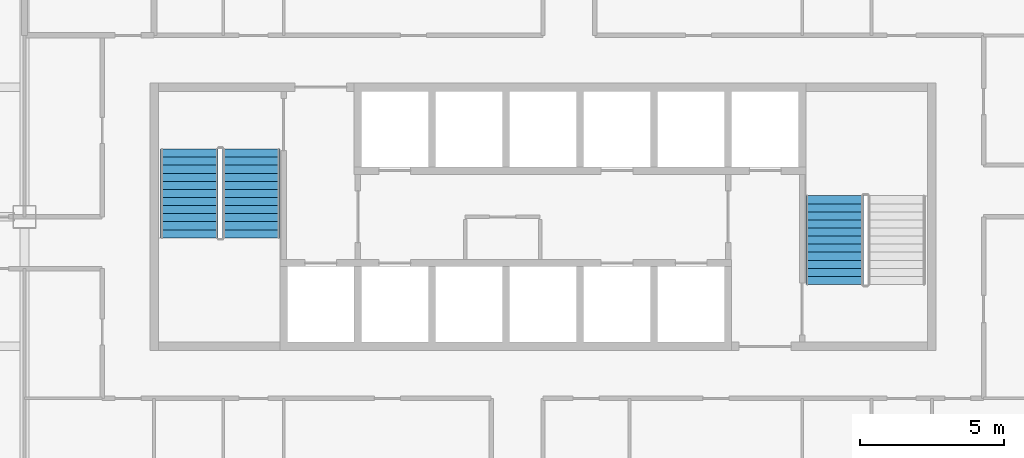
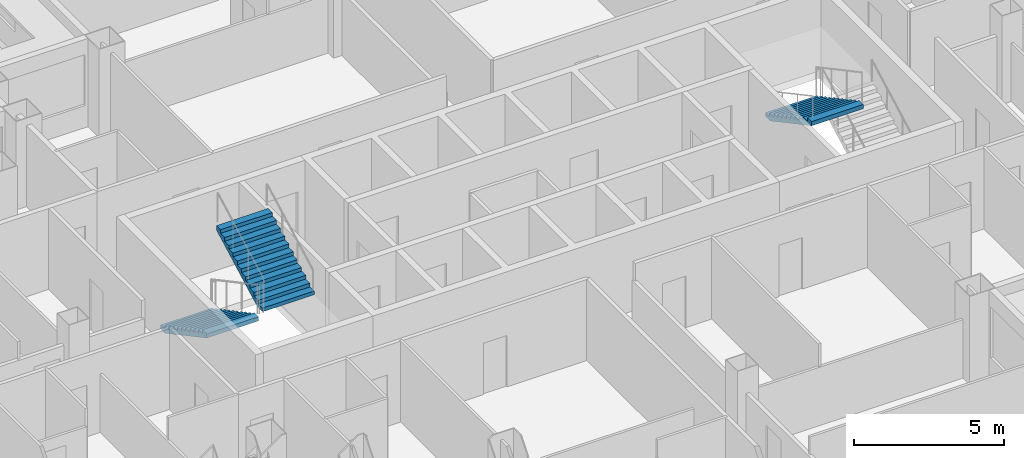
# One storey, part 10 of 14: 3 stair flights, 2 elements without a shape of their own.
"""IFC4 building model written with IfcOpenShell, lengths in metres."""

from ifc_helpers import new_model, si_unit, direction, frame, origin, place, context, subcontext, project, spatial, polygons, material, type_object, element, aggregate, save


model = new_model("IFC4")

# Units and contexts
model_context = context("Model", 3, precision=1e-05, world=origin(), true_north=direction((0.0, 1.0)))
body_context = subcontext(model_context, "Body", "Model", "MODEL_VIEW")
ifc_project = project(units=[si_unit("LENGTHUNIT", "METRE"), si_unit("AREAUNIT", "SQUARE_METRE"), si_unit("VOLUMEUNIT", "CUBIC_METRE"), si_unit("PLANEANGLEUNIT", "RADIAN"), si_unit("MASSUNIT", "GRAM", prefix="KILO")], contexts=[model_context])

# Site, building, storey
site_placement = place(None, origin())
site = spatial("IfcSite", under=ifc_project, at=site_placement, CompositionType="ELEMENT")
building_placement = place(site_placement, origin())
building = spatial("IfcBuilding", under=site, at=building_placement, Name="Caravel Reach Hotel and Residences", CompositionType="ELEMENT")
storey_placement = place(building_placement, frame((0.0, 0.0, 56.39990234375)))
storey = spatial("IfcBuildingStorey", under=building, at=storey_placement, Name="L12", CompositionType="ELEMENT", Elevation=56.39990234375)

# Stair, stair flights
ifc_material_1 = material(Name="Concrete C40", Category="concrete")
stair_type = type_object("IfcStairType", Name="Core stair", PredefinedType="HALF_TURN_STAIR", material=ifc_material_1)
stair_1_placement = place(storey_placement, origin())
stair_1 = element("IfcStair", 1, at=stair_1_placement, inside=storey, type_object=stair_type, Name="L12 Exit stair A", PredefinedType="HALF_TURN_STAIR")
ifc_material_2 = material(Name="Concrete C40", Category="concrete")
stair_flight_type = type_object("IfcStairFlightType", Name="Core stair flight", PredefinedType="STRAIGHT", material=ifc_material_2)
stair_flight_1_placement = place(storey_placement, frame((19.22509765625, 29.35009765625, 0.0), z_axis=(0.0, 0.0, 1.0), x_axis=(0.0, -1.0, 0.0)))
stair_flight_1 = element("IfcStairFlight", 2, at=stair_flight_1_placement, type_object=stair_flight_type, Name="ST-A flight 1", NumberOfRisers=12, NumberOfTreads=11, PredefinedType="STRAIGHT", RiserHeight=0.15, TreadLength=0.28, context=body_context, shape_type="Tessellation", body=[
    polygons([(0.3174408016601862, 1.0, 0.0), (0.3174408016601862, 0.6666666666666667, 0.0), (0.3174408016601862, 0.33333333333333337, 0.0), (0.3174408016601862, 0.0, 0.0), (0.3174408016601862, -0.33333333333333326, 0.0), (0.3174408016601862, -0.6666666666666667, 0.0), (0.3174408016601862, -1.0, 0.0), (3.081, 1.0, 1.479942427682043), (3.081, 0.6666666666666667, 1.479942427682043), (3.081, 0.33333333333333337, 1.479942427682043), (3.081, 0.0, 1.479942427682043), (3.081, -0.33333333333333326, 1.479942427682043), (3.081, -0.6666666666666667, 1.479942427682043), (3.081, -1.0, 1.479942427682043), (3.081, 1.0, 1.65), (3.081, 0.6666666666666667, 1.65), (3.081, 0.33333333333333337, 1.65), (3.081, 0.0, 1.65), (3.081, -0.33333333333333326, 1.65), (3.081, -0.6666666666666667, 1.65), (3.081, -1.0, 1.65), (2.8000000000000003, 1.0, 1.65), (2.8000000000000003, 0.6666666666666667, 1.65), (2.8000000000000003, 0.33333333333333337, 1.65), (2.8000000000000003, 0.0, 1.65), (2.8000000000000003, -0.33333333333333326, 1.65), (2.8000000000000003, -0.6666666666666667, 1.65), (2.8000000000000003, -1.0, 1.65), (2.8000000000000003, 1.0, 1.5), (2.8000000000000003, 0.6666666666666667, 1.5), (2.8000000000000003, 0.33333333333333337, 1.5), (2.8000000000000003, 0.0, 1.5), (2.8000000000000003, -0.33333333333333326, 1.5), (2.8000000000000003, -0.6666666666666667, 1.5), (2.8000000000000003, -1.0, 1.5), (2.5200000000000005, 1.0, 1.5), (2.5200000000000005, 0.6666666666666667, 1.5), (2.5200000000000005, 0.33333333333333337, 1.5), (2.5200000000000005, 0.0, 1.5), (2.5200000000000005, -0.33333333333333326, 1.5), (2.5200000000000005, -0.6666666666666667, 1.5), (2.5200000000000005, -1.0, 1.5), (2.5200000000000005, 1.0, 1.3499999999999999), (2.5200000000000005, 0.6666666666666667, 1.3499999999999999), (2.5200000000000005, 0.33333333333333337, 1.3499999999999999), (2.5200000000000005, 0.0, 1.3499999999999999), (2.5200000000000005, -0.33333333333333326, 1.3499999999999999), (2.5200000000000005, -0.6666666666666667, 1.3499999999999999), (2.5200000000000005, -1.0, 1.3499999999999999), (2.24, 1.0, 1.3499999999999999), (2.24, 0.6666666666666667, 1.3499999999999999), (2.24, 0.33333333333333337, 1.3499999999999999), (2.24, 0.0, 1.3499999999999999), (2.24, -0.33333333333333326, 1.3499999999999999), (2.24, -0.6666666666666667, 1.3499999999999999), (2.24, -1.0, 1.3499999999999999), (2.24, 1.0, 1.2), (2.24, 0.6666666666666667, 1.2), (2.24, 0.33333333333333337, 1.2), (2.24, 0.0, 1.2), (2.24, -0.33333333333333326, 1.2), (2.24, -0.6666666666666667, 1.2), (2.24, -1.0, 1.2), (1.9600000000000002, 1.0, 1.2), (1.9600000000000002, 0.6666666666666667, 1.2), (1.9600000000000002, 0.33333333333333337, 1.2), (1.9600000000000002, 0.0, 1.2), (1.9600000000000002, -0.33333333333333326, 1.2), (1.9600000000000002, -0.6666666666666667, 1.2), (1.9600000000000002, -1.0, 1.2), (1.9600000000000002, 1.0, 1.05), (1.9600000000000002, 0.6666666666666667, 1.05), (1.9600000000000002, 0.33333333333333337, 1.05), (1.9600000000000002, 0.0, 1.05), (1.9600000000000002, -0.33333333333333326, 1.05), (1.9600000000000002, -0.6666666666666667, 1.05), (1.9600000000000002, -1.0, 1.05), (1.6800000000000002, 1.0, 1.05), (1.6800000000000002, 0.6666666666666667, 1.05), (1.6800000000000002, 0.33333333333333337, 1.05), (1.6800000000000002, 0.0, 1.05), (1.6800000000000002, -0.33333333333333326, 1.05), (1.6800000000000002, -0.6666666666666667, 1.05), (1.6800000000000002, -1.0, 1.05), (1.6800000000000002, 1.0, 0.8999999999999999), (1.6800000000000002, 0.6666666666666667, 0.8999999999999999), (1.6800000000000002, 0.33333333333333337, 0.8999999999999999), (1.6800000000000002, 0.0, 0.8999999999999999), (1.6800000000000002, -0.33333333333333326, 0.8999999999999999), (1.6800000000000002, -0.6666666666666667, 0.8999999999999999), (1.6800000000000002, -1.0, 0.8999999999999999), (1.4000000000000001, 1.0, 0.8999999999999999), (1.4000000000000001, 0.6666666666666667, 0.8999999999999999), (1.4000000000000001, 0.33333333333333337, 0.8999999999999999), (1.4000000000000001, 0.0, 0.8999999999999999), (1.4000000000000001, -0.33333333333333326, 0.8999999999999999), (1.4000000000000001, -0.6666666666666667, 0.8999999999999999), (1.4000000000000001, -1.0, 0.8999999999999999), (1.4000000000000001, 1.0, 0.75), (1.4000000000000001, 0.6666666666666667, 0.75), (1.4000000000000001, 0.33333333333333337, 0.75), (1.4000000000000001, 0.0, 0.75), (1.4000000000000001, -0.33333333333333326, 0.75), (1.4000000000000001, -0.6666666666666667, 0.75), (1.4000000000000001, -1.0, 0.75), (1.12, 1.0, 0.75), (1.12, 0.6666666666666667, 0.75), (1.12, 0.33333333333333337, 0.75), (1.12, 0.0, 0.75), (1.12, -0.33333333333333326, 0.75), (1.12, -0.6666666666666667, 0.75), (1.12, -1.0, 0.75), (1.12, 1.0, 0.6), (1.12, 0.6666666666666667, 0.6), (1.12, 0.33333333333333337, 0.6), (1.12, 0.0, 0.6), (1.12, -0.33333333333333326, 0.6), (1.12, -0.6666666666666667, 0.6), (1.12, -1.0, 0.6), (0.8400000000000001, 1.0, 0.6), (0.8400000000000001, 0.6666666666666667, 0.6), (0.8400000000000001, 0.33333333333333337, 0.6), (0.8400000000000001, 0.0, 0.6), (0.8400000000000001, -0.33333333333333326, 0.6), (0.8400000000000001, -0.6666666666666667, 0.6), (0.8400000000000001, -1.0, 0.6), (0.8400000000000001, 1.0, 0.44999999999999996), (0.8400000000000001, 0.6666666666666667, 0.44999999999999996), (0.8400000000000001, 0.33333333333333337, 0.44999999999999996), (0.8400000000000001, 0.0, 0.44999999999999996), (0.8400000000000001, -0.33333333333333326, 0.44999999999999996), (0.8400000000000001, -0.6666666666666667, 0.44999999999999996), (0.8400000000000001, -1.0, 0.44999999999999996), (0.56, 1.0, 0.44999999999999996), (0.56, 0.6666666666666667, 0.44999999999999996), (0.56, 0.33333333333333337, 0.44999999999999996), (0.56, 0.0, 0.44999999999999996), (0.56, -0.33333333333333326, 0.44999999999999996), (0.56, -0.6666666666666667, 0.44999999999999996), (0.56, -1.0, 0.44999999999999996), (0.56, 1.0, 0.3), (0.56, 0.6666666666666667, 0.3), (0.56, 0.33333333333333337, 0.3), (0.56, 0.0, 0.3), (0.56, -0.33333333333333326, 0.3), (0.56, -0.6666666666666667, 0.3), (0.56, -1.0, 0.3), (0.28, 1.0, 0.3), (0.28, 0.6666666666666667, 0.3), (0.28, 0.33333333333333337, 0.3), (0.28, 0.0, 0.3), (0.28, -0.33333333333333326, 0.3), (0.28, -0.6666666666666667, 0.3), (0.28, -1.0, 0.3), (0.28, 1.0, 0.15), (0.28, 0.6666666666666667, 0.15), (0.28, 0.33333333333333337, 0.15), (0.28, 0.0, 0.15), (0.28, -0.33333333333333326, 0.15), (0.28, -0.6666666666666667, 0.15), (0.28, -1.0, 0.15), (-0.001, 1.0, 0.15), (-0.001, 0.6666666666666667, 0.15), (-0.001, 0.33333333333333337, 0.15), (-0.001, 0.0, 0.15), (-0.001, -0.33333333333333326, 0.15), (-0.001, -0.6666666666666667, 0.15), (-0.001, -1.0, 0.15), (-0.001, 1.0, 0.0), (-0.001, 0.6666666666666667, 0.0), (-0.001, 0.33333333333333337, 0.0), (-0.001, 0.0, 0.0), (-0.001, -0.33333333333333326, 0.0), (-0.001, -0.6666666666666667, 0.0), (-0.001, -1.0, 0.0)], [[[169, 162, 155, 148, 141, 134, 127, 120, 113, 106, 99, 92, 85, 78, 71, 64, 57, 50, 43, 36, 29, 22, 15, 8, 1]], [[7, 14, 21, 28, 35, 42, 49, 56, 63, 70, 77, 84, 91, 98, 105, 112, 119, 126, 133, 140, 147, 154, 161, 168, 175]], [[1, 8, 9, 2]], [[2, 9, 10, 3]], [[3, 10, 11, 4]], [[4, 11, 12, 5]], [[5, 12, 13, 6]], [[6, 13, 14, 7]], [[8, 15, 16, 9]], [[9, 16, 17, 10]], [[10, 17, 18, 11]], [[11, 18, 19, 12]], [[12, 19, 20, 13]], [[13, 20, 21, 14]], [[15, 22, 23, 16]], [[16, 23, 24, 17]], [[17, 24, 25, 18]], [[18, 25, 26, 19]], [[19, 26, 27, 20]], [[20, 27, 28, 21]], [[22, 29, 30, 23]], [[23, 30, 31, 24]], [[24, 31, 32, 25]], [[25, 32, 33, 26]], [[26, 33, 34, 27]], [[27, 34, 35, 28]], [[29, 36, 37, 30]], [[30, 37, 38, 31]], [[31, 38, 39, 32]], [[32, 39, 40, 33]], [[33, 40, 41, 34]], [[34, 41, 42, 35]], [[36, 43, 44, 37]], [[37, 44, 45, 38]], [[38, 45, 46, 39]], [[39, 46, 47, 40]], [[40, 47, 48, 41]], [[41, 48, 49, 42]], [[43, 50, 51, 44]], [[44, 51, 52, 45]], [[45, 52, 53, 46]], [[46, 53, 54, 47]], [[47, 54, 55, 48]], [[48, 55, 56, 49]], [[50, 57, 58, 51]], [[51, 58, 59, 52]], [[52, 59, 60, 53]], [[53, 60, 61, 54]], [[54, 61, 62, 55]], [[55, 62, 63, 56]], [[57, 64, 65, 58]], [[58, 65, 66, 59]], [[59, 66, 67, 60]], [[60, 67, 68, 61]], [[61, 68, 69, 62]], [[62, 69, 70, 63]], [[64, 71, 72, 65]], [[65, 72, 73, 66]], [[66, 73, 74, 67]], [[67, 74, 75, 68]], [[68, 75, 76, 69]], [[69, 76, 77, 70]], [[71, 78, 79, 72]], [[72, 79, 80, 73]], [[73, 80, 81, 74]], [[74, 81, 82, 75]], [[75, 82, 83, 76]], [[76, 83, 84, 77]], [[78, 85, 86, 79]], [[79, 86, 87, 80]], [[80, 87, 88, 81]], [[81, 88, 89, 82]], [[82, 89, 90, 83]], [[83, 90, 91, 84]], [[85, 92, 93, 86]], [[86, 93, 94, 87]], [[87, 94, 95, 88]], [[88, 95, 96, 89]], [[89, 96, 97, 90]], [[90, 97, 98, 91]], [[92, 99, 100, 93]], [[93, 100, 101, 94]], [[94, 101, 102, 95]], [[95, 102, 103, 96]], [[96, 103, 104, 97]], [[97, 104, 105, 98]], [[99, 106, 107, 100]], [[100, 107, 108, 101]], [[101, 108, 109, 102]], [[102, 109, 110, 103]], [[103, 110, 111, 104]], [[104, 111, 112, 105]], [[106, 113, 114, 107]], [[107, 114, 115, 108]], [[108, 115, 116, 109]], [[109, 116, 117, 110]], [[110, 117, 118, 111]], [[111, 118, 119, 112]], [[113, 120, 121, 114]], [[114, 121, 122, 115]], [[115, 122, 123, 116]], [[116, 123, 124, 117]], [[117, 124, 125, 118]], [[118, 125, 126, 119]], [[120, 127, 128, 121]], [[121, 128, 129, 122]], [[122, 129, 130, 123]], [[123, 130, 131, 124]], [[124, 131, 132, 125]], [[125, 132, 133, 126]], [[127, 134, 135, 128]], [[128, 135, 136, 129]], [[129, 136, 137, 130]], [[130, 137, 138, 131]], [[131, 138, 139, 132]], [[132, 139, 140, 133]], [[134, 141, 142, 135]], [[135, 142, 143, 136]], [[136, 143, 144, 137]], [[137, 144, 145, 138]], [[138, 145, 146, 139]], [[139, 146, 147, 140]], [[141, 148, 149, 142]], [[142, 149, 150, 143]], [[143, 150, 151, 144]], [[144, 151, 152, 145]], [[145, 152, 153, 146]], [[146, 153, 154, 147]], [[148, 155, 156, 149]], [[149, 156, 157, 150]], [[150, 157, 158, 151]], [[151, 158, 159, 152]], [[152, 159, 160, 153]], [[153, 160, 161, 154]], [[155, 162, 163, 156]], [[156, 163, 164, 157]], [[157, 164, 165, 158]], [[158, 165, 166, 159]], [[159, 166, 167, 160]], [[160, 167, 168, 161]], [[162, 169, 170, 163]], [[163, 170, 171, 164]], [[164, 171, 172, 165]], [[165, 172, 173, 166]], [[166, 173, 174, 167]], [[167, 174, 175, 168]], [[169, 1, 2, 170]], [[170, 2, 3, 171]], [[171, 3, 4, 172]], [[172, 4, 5, 173]], [[173, 5, 6, 174]], [[174, 6, 7, 175]]], closed=True),
])
stair_flight_2_placement = place(storey_placement, frame((21.375, 26.27001953125, 1.800048828125), z_axis=(0.0, 0.0, 1.0), x_axis=(0.0, 1.0, 0.0)))
stair_flight_2 = element("IfcStairFlight", 3, at=stair_flight_2_placement, type_object=stair_flight_type, Name="ST-A flight 2", NumberOfRisers=12, NumberOfTreads=11, PredefinedType="STRAIGHT", RiserHeight=0.15, TreadLength=0.28, context=body_context, shape_type="Tessellation", body=[
    polygons([(0.3174408016601862, 1.0, 0.0), (0.3174408016601862, 0.6666666666666667, 0.0), (0.3174408016601862, 0.33333333333333337, 0.0), (0.3174408016601862, 0.0, 0.0), (0.3174408016601862, -0.33333333333333326, 0.0), (0.3174408016601862, -0.6666666666666667, 0.0), (0.3174408016601862, -1.0, 0.0), (3.081, 1.0, 1.479942427682043), (3.081, 0.6666666666666667, 1.479942427682043), (3.081, 0.33333333333333337, 1.479942427682043), (3.081, 0.0, 1.479942427682043), (3.081, -0.33333333333333326, 1.479942427682043), (3.081, -0.6666666666666667, 1.479942427682043), (3.081, -1.0, 1.479942427682043), (3.081, 1.0, 1.65), (3.081, 0.6666666666666667, 1.65), (3.081, 0.33333333333333337, 1.65), (3.081, 0.0, 1.65), (3.081, -0.33333333333333326, 1.65), (3.081, -0.6666666666666667, 1.65), (3.081, -1.0, 1.65), (2.8000000000000003, 1.0, 1.65), (2.8000000000000003, 0.6666666666666667, 1.65), (2.8000000000000003, 0.33333333333333337, 1.65), (2.8000000000000003, 0.0, 1.65), (2.8000000000000003, -0.33333333333333326, 1.65), (2.8000000000000003, -0.6666666666666667, 1.65), (2.8000000000000003, -1.0, 1.65), (2.8000000000000003, 1.0, 1.5), (2.8000000000000003, 0.6666666666666667, 1.5), (2.8000000000000003, 0.33333333333333337, 1.5), (2.8000000000000003, 0.0, 1.5), (2.8000000000000003, -0.33333333333333326, 1.5), (2.8000000000000003, -0.6666666666666667, 1.5), (2.8000000000000003, -1.0, 1.5), (2.5200000000000005, 1.0, 1.5), (2.5200000000000005, 0.6666666666666667, 1.5), (2.5200000000000005, 0.33333333333333337, 1.5), (2.5200000000000005, 0.0, 1.5), (2.5200000000000005, -0.33333333333333326, 1.5), (2.5200000000000005, -0.6666666666666667, 1.5), (2.5200000000000005, -1.0, 1.5), (2.5200000000000005, 1.0, 1.3499999999999999), (2.5200000000000005, 0.6666666666666667, 1.3499999999999999), (2.5200000000000005, 0.33333333333333337, 1.3499999999999999), (2.5200000000000005, 0.0, 1.3499999999999999), (2.5200000000000005, -0.33333333333333326, 1.3499999999999999), (2.5200000000000005, -0.6666666666666667, 1.3499999999999999), (2.5200000000000005, -1.0, 1.3499999999999999), (2.24, 1.0, 1.3499999999999999), (2.24, 0.6666666666666667, 1.3499999999999999), (2.24, 0.33333333333333337, 1.3499999999999999), (2.24, 0.0, 1.3499999999999999), (2.24, -0.33333333333333326, 1.3499999999999999), (2.24, -0.6666666666666667, 1.3499999999999999), (2.24, -1.0, 1.3499999999999999), (2.24, 1.0, 1.2), (2.24, 0.6666666666666667, 1.2), (2.24, 0.33333333333333337, 1.2), (2.24, 0.0, 1.2), (2.24, -0.33333333333333326, 1.2), (2.24, -0.6666666666666667, 1.2), (2.24, -1.0, 1.2), (1.9600000000000002, 1.0, 1.2), (1.9600000000000002, 0.6666666666666667, 1.2), (1.9600000000000002, 0.33333333333333337, 1.2), (1.9600000000000002, 0.0, 1.2), (1.9600000000000002, -0.33333333333333326, 1.2), (1.9600000000000002, -0.6666666666666667, 1.2), (1.9600000000000002, -1.0, 1.2), (1.9600000000000002, 1.0, 1.05), (1.9600000000000002, 0.6666666666666667, 1.05), (1.9600000000000002, 0.33333333333333337, 1.05), (1.9600000000000002, 0.0, 1.05), (1.9600000000000002, -0.33333333333333326, 1.05), (1.9600000000000002, -0.6666666666666667, 1.05), (1.9600000000000002, -1.0, 1.05), (1.6800000000000002, 1.0, 1.05), (1.6800000000000002, 0.6666666666666667, 1.05), (1.6800000000000002, 0.33333333333333337, 1.05), (1.6800000000000002, 0.0, 1.05), (1.6800000000000002, -0.33333333333333326, 1.05), (1.6800000000000002, -0.6666666666666667, 1.05), (1.6800000000000002, -1.0, 1.05), (1.6800000000000002, 1.0, 0.8999999999999999), (1.6800000000000002, 0.6666666666666667, 0.8999999999999999), (1.6800000000000002, 0.33333333333333337, 0.8999999999999999), (1.6800000000000002, 0.0, 0.8999999999999999), (1.6800000000000002, -0.33333333333333326, 0.8999999999999999), (1.6800000000000002, -0.6666666666666667, 0.8999999999999999), (1.6800000000000002, -1.0, 0.8999999999999999), (1.4000000000000001, 1.0, 0.8999999999999999), (1.4000000000000001, 0.6666666666666667, 0.8999999999999999), (1.4000000000000001, 0.33333333333333337, 0.8999999999999999), (1.4000000000000001, 0.0, 0.8999999999999999), (1.4000000000000001, -0.33333333333333326, 0.8999999999999999), (1.4000000000000001, -0.6666666666666667, 0.8999999999999999), (1.4000000000000001, -1.0, 0.8999999999999999), (1.4000000000000001, 1.0, 0.75), (1.4000000000000001, 0.6666666666666667, 0.75), (1.4000000000000001, 0.33333333333333337, 0.75), (1.4000000000000001, 0.0, 0.75), (1.4000000000000001, -0.33333333333333326, 0.75), (1.4000000000000001, -0.6666666666666667, 0.75), (1.4000000000000001, -1.0, 0.75), (1.12, 1.0, 0.75), (1.12, 0.6666666666666667, 0.75), (1.12, 0.33333333333333337, 0.75), (1.12, 0.0, 0.75), (1.12, -0.33333333333333326, 0.75), (1.12, -0.6666666666666667, 0.75), (1.12, -1.0, 0.75), (1.12, 1.0, 0.6), (1.12, 0.6666666666666667, 0.6), (1.12, 0.33333333333333337, 0.6), (1.12, 0.0, 0.6), (1.12, -0.33333333333333326, 0.6), (1.12, -0.6666666666666667, 0.6), (1.12, -1.0, 0.6), (0.8400000000000001, 1.0, 0.6), (0.8400000000000001, 0.6666666666666667, 0.6), (0.8400000000000001, 0.33333333333333337, 0.6), (0.8400000000000001, 0.0, 0.6), (0.8400000000000001, -0.33333333333333326, 0.6), (0.8400000000000001, -0.6666666666666667, 0.6), (0.8400000000000001, -1.0, 0.6), (0.8400000000000001, 1.0, 0.44999999999999996), (0.8400000000000001, 0.6666666666666667, 0.44999999999999996), (0.8400000000000001, 0.33333333333333337, 0.44999999999999996), (0.8400000000000001, 0.0, 0.44999999999999996), (0.8400000000000001, -0.33333333333333326, 0.44999999999999996), (0.8400000000000001, -0.6666666666666667, 0.44999999999999996), (0.8400000000000001, -1.0, 0.44999999999999996), (0.56, 1.0, 0.44999999999999996), (0.56, 0.6666666666666667, 0.44999999999999996), (0.56, 0.33333333333333337, 0.44999999999999996), (0.56, 0.0, 0.44999999999999996), (0.56, -0.33333333333333326, 0.44999999999999996), (0.56, -0.6666666666666667, 0.44999999999999996), (0.56, -1.0, 0.44999999999999996), (0.56, 1.0, 0.3), (0.56, 0.6666666666666667, 0.3), (0.56, 0.33333333333333337, 0.3), (0.56, 0.0, 0.3), (0.56, -0.33333333333333326, 0.3), (0.56, -0.6666666666666667, 0.3), (0.56, -1.0, 0.3), (0.28, 1.0, 0.3), (0.28, 0.6666666666666667, 0.3), (0.28, 0.33333333333333337, 0.3), (0.28, 0.0, 0.3), (0.28, -0.33333333333333326, 0.3), (0.28, -0.6666666666666667, 0.3), (0.28, -1.0, 0.3), (0.28, 1.0, 0.15), (0.28, 0.6666666666666667, 0.15), (0.28, 0.33333333333333337, 0.15), (0.28, 0.0, 0.15), (0.28, -0.33333333333333326, 0.15), (0.28, -0.6666666666666667, 0.15), (0.28, -1.0, 0.15), (-0.001, 1.0, 0.15), (-0.001, 0.6666666666666667, 0.15), (-0.001, 0.33333333333333337, 0.15), (-0.001, 0.0, 0.15), (-0.001, -0.33333333333333326, 0.15), (-0.001, -0.6666666666666667, 0.15), (-0.001, -1.0, 0.15), (-0.001, 1.0, 0.0), (-0.001, 0.6666666666666667, 0.0), (-0.001, 0.33333333333333337, 0.0), (-0.001, 0.0, 0.0), (-0.001, -0.33333333333333326, 0.0), (-0.001, -0.6666666666666667, 0.0), (-0.001, -1.0, 0.0)], [[[169, 162, 155, 148, 141, 134, 127, 120, 113, 106, 99, 92, 85, 78, 71, 64, 57, 50, 43, 36, 29, 22, 15, 8, 1]], [[7, 14, 21, 28, 35, 42, 49, 56, 63, 70, 77, 84, 91, 98, 105, 112, 119, 126, 133, 140, 147, 154, 161, 168, 175]], [[1, 8, 9, 2]], [[2, 9, 10, 3]], [[3, 10, 11, 4]], [[4, 11, 12, 5]], [[5, 12, 13, 6]], [[6, 13, 14, 7]], [[8, 15, 16, 9]], [[9, 16, 17, 10]], [[10, 17, 18, 11]], [[11, 18, 19, 12]], [[12, 19, 20, 13]], [[13, 20, 21, 14]], [[15, 22, 23, 16]], [[16, 23, 24, 17]], [[17, 24, 25, 18]], [[18, 25, 26, 19]], [[19, 26, 27, 20]], [[20, 27, 28, 21]], [[22, 29, 30, 23]], [[23, 30, 31, 24]], [[24, 31, 32, 25]], [[25, 32, 33, 26]], [[26, 33, 34, 27]], [[27, 34, 35, 28]], [[29, 36, 37, 30]], [[30, 37, 38, 31]], [[31, 38, 39, 32]], [[32, 39, 40, 33]], [[33, 40, 41, 34]], [[34, 41, 42, 35]], [[36, 43, 44, 37]], [[37, 44, 45, 38]], [[38, 45, 46, 39]], [[39, 46, 47, 40]], [[40, 47, 48, 41]], [[41, 48, 49, 42]], [[43, 50, 51, 44]], [[44, 51, 52, 45]], [[45, 52, 53, 46]], [[46, 53, 54, 47]], [[47, 54, 55, 48]], [[48, 55, 56, 49]], [[50, 57, 58, 51]], [[51, 58, 59, 52]], [[52, 59, 60, 53]], [[53, 60, 61, 54]], [[54, 61, 62, 55]], [[55, 62, 63, 56]], [[57, 64, 65, 58]], [[58, 65, 66, 59]], [[59, 66, 67, 60]], [[60, 67, 68, 61]], [[61, 68, 69, 62]], [[62, 69, 70, 63]], [[64, 71, 72, 65]], [[65, 72, 73, 66]], [[66, 73, 74, 67]], [[67, 74, 75, 68]], [[68, 75, 76, 69]], [[69, 76, 77, 70]], [[71, 78, 79, 72]], [[72, 79, 80, 73]], [[73, 80, 81, 74]], [[74, 81, 82, 75]], [[75, 82, 83, 76]], [[76, 83, 84, 77]], [[78, 85, 86, 79]], [[79, 86, 87, 80]], [[80, 87, 88, 81]], [[81, 88, 89, 82]], [[82, 89, 90, 83]], [[83, 90, 91, 84]], [[85, 92, 93, 86]], [[86, 93, 94, 87]], [[87, 94, 95, 88]], [[88, 95, 96, 89]], [[89, 96, 97, 90]], [[90, 97, 98, 91]], [[92, 99, 100, 93]], [[93, 100, 101, 94]], [[94, 101, 102, 95]], [[95, 102, 103, 96]], [[96, 103, 104, 97]], [[97, 104, 105, 98]], [[99, 106, 107, 100]], [[100, 107, 108, 101]], [[101, 108, 109, 102]], [[102, 109, 110, 103]], [[103, 110, 111, 104]], [[104, 111, 112, 105]], [[106, 113, 114, 107]], [[107, 114, 115, 108]], [[108, 115, 116, 109]], [[109, 116, 117, 110]], [[110, 117, 118, 111]], [[111, 118, 119, 112]], [[113, 120, 121, 114]], [[114, 121, 122, 115]], [[115, 122, 123, 116]], [[116, 123, 124, 117]], [[117, 124, 125, 118]], [[118, 125, 126, 119]], [[120, 127, 128, 121]], [[121, 128, 129, 122]], [[122, 129, 130, 123]], [[123, 130, 131, 124]], [[124, 131, 132, 125]], [[125, 132, 133, 126]], [[127, 134, 135, 128]], [[128, 135, 136, 129]], [[129, 136, 137, 130]], [[130, 137, 138, 131]], [[131, 138, 139, 132]], [[132, 139, 140, 133]], [[134, 141, 142, 135]], [[135, 142, 143, 136]], [[136, 143, 144, 137]], [[137, 144, 145, 138]], [[138, 145, 146, 139]], [[139, 146, 147, 140]], [[141, 148, 149, 142]], [[142, 149, 150, 143]], [[143, 150, 151, 144]], [[144, 151, 152, 145]], [[145, 152, 153, 146]], [[146, 153, 154, 147]], [[148, 155, 156, 149]], [[149, 156, 157, 150]], [[150, 157, 158, 151]], [[151, 158, 159, 152]], [[152, 159, 160, 153]], [[153, 160, 161, 154]], [[155, 162, 163, 156]], [[156, 163, 164, 157]], [[157, 164, 165, 158]], [[158, 165, 166, 159]], [[159, 166, 167, 160]], [[160, 167, 168, 161]], [[162, 169, 170, 163]], [[163, 170, 171, 164]], [[164, 171, 172, 165]], [[165, 172, 173, 166]], [[166, 173, 174, 167]], [[167, 174, 175, 168]], [[169, 1, 2, 170]], [[170, 2, 3, 171]], [[171, 3, 4, 172]], [[172, 4, 5, 173]], [[173, 5, 6, 174]], [[174, 6, 7, 175]]], closed=True),
])
aggregate(stair_1, [stair_flight_1, stair_flight_2])

# Stair, stair flight
stair_2_placement = place(storey_placement, origin())
stair_2 = element("IfcStair", 4, at=stair_2_placement, inside=storey, type_object=stair_type, Name="L12 Exit stair B", PredefinedType="HALF_TURN_STAIR")
stair_flight_3_placement = place(storey_placement, frame((41.625, 27.72998046875, 1.800048828125), z_axis=(0.0, 0.0, 1.0), x_axis=(0.0, -1.0, 0.0)))
stair_flight_3 = element("IfcStairFlight", 5, at=stair_flight_3_placement, type_object=stair_flight_type, Name="ST-B flight 2", NumberOfRisers=12, NumberOfTreads=11, PredefinedType="STRAIGHT", RiserHeight=0.15, TreadLength=0.28, context=body_context, shape_type="Tessellation", body=[
    polygons([(0.3174408016601862, 1.0, 0.0), (0.3174408016601862, 0.6666666666666667, 0.0), (0.3174408016601862, 0.33333333333333337, 0.0), (0.3174408016601862, 0.0, 0.0), (0.3174408016601862, -0.33333333333333326, 0.0), (0.3174408016601862, -0.6666666666666667, 0.0), (0.3174408016601862, -1.0, 0.0), (3.081, 1.0, 1.479942427682043), (3.081, 0.6666666666666667, 1.479942427682043), (3.081, 0.33333333333333337, 1.479942427682043), (3.081, 0.0, 1.479942427682043), (3.081, -0.33333333333333326, 1.479942427682043), (3.081, -0.6666666666666667, 1.479942427682043), (3.081, -1.0, 1.479942427682043), (3.081, 1.0, 1.65), (3.081, 0.6666666666666667, 1.65), (3.081, 0.33333333333333337, 1.65), (3.081, 0.0, 1.65), (3.081, -0.33333333333333326, 1.65), (3.081, -0.6666666666666667, 1.65), (3.081, -1.0, 1.65), (2.8000000000000003, 1.0, 1.65), (2.8000000000000003, 0.6666666666666667, 1.65), (2.8000000000000003, 0.33333333333333337, 1.65), (2.8000000000000003, 0.0, 1.65), (2.8000000000000003, -0.33333333333333326, 1.65), (2.8000000000000003, -0.6666666666666667, 1.65), (2.8000000000000003, -1.0, 1.65), (2.8000000000000003, 1.0, 1.5), (2.8000000000000003, 0.6666666666666667, 1.5), (2.8000000000000003, 0.33333333333333337, 1.5), (2.8000000000000003, 0.0, 1.5), (2.8000000000000003, -0.33333333333333326, 1.5), (2.8000000000000003, -0.6666666666666667, 1.5), (2.8000000000000003, -1.0, 1.5), (2.5200000000000005, 1.0, 1.5), (2.5200000000000005, 0.6666666666666667, 1.5), (2.5200000000000005, 0.33333333333333337, 1.5), (2.5200000000000005, 0.0, 1.5), (2.5200000000000005, -0.33333333333333326, 1.5), (2.5200000000000005, -0.6666666666666667, 1.5), (2.5200000000000005, -1.0, 1.5), (2.5200000000000005, 1.0, 1.3499999999999999), (2.5200000000000005, 0.6666666666666667, 1.3499999999999999), (2.5200000000000005, 0.33333333333333337, 1.3499999999999999), (2.5200000000000005, 0.0, 1.3499999999999999), (2.5200000000000005, -0.33333333333333326, 1.3499999999999999), (2.5200000000000005, -0.6666666666666667, 1.3499999999999999), (2.5200000000000005, -1.0, 1.3499999999999999), (2.24, 1.0, 1.3499999999999999), (2.24, 0.6666666666666667, 1.3499999999999999), (2.24, 0.33333333333333337, 1.3499999999999999), (2.24, 0.0, 1.3499999999999999), (2.24, -0.33333333333333326, 1.3499999999999999), (2.24, -0.6666666666666667, 1.3499999999999999), (2.24, -1.0, 1.3499999999999999), (2.24, 1.0, 1.2), (2.24, 0.6666666666666667, 1.2), (2.24, 0.33333333333333337, 1.2), (2.24, 0.0, 1.2), (2.24, -0.33333333333333326, 1.2), (2.24, -0.6666666666666667, 1.2), (2.24, -1.0, 1.2), (1.9600000000000002, 1.0, 1.2), (1.9600000000000002, 0.6666666666666667, 1.2), (1.9600000000000002, 0.33333333333333337, 1.2), (1.9600000000000002, 0.0, 1.2), (1.9600000000000002, -0.33333333333333326, 1.2), (1.9600000000000002, -0.6666666666666667, 1.2), (1.9600000000000002, -1.0, 1.2), (1.9600000000000002, 1.0, 1.05), (1.9600000000000002, 0.6666666666666667, 1.05), (1.9600000000000002, 0.33333333333333337, 1.05), (1.9600000000000002, 0.0, 1.05), (1.9600000000000002, -0.33333333333333326, 1.05), (1.9600000000000002, -0.6666666666666667, 1.05), (1.9600000000000002, -1.0, 1.05), (1.6800000000000002, 1.0, 1.05), (1.6800000000000002, 0.6666666666666667, 1.05), (1.6800000000000002, 0.33333333333333337, 1.05), (1.6800000000000002, 0.0, 1.05), (1.6800000000000002, -0.33333333333333326, 1.05), (1.6800000000000002, -0.6666666666666667, 1.05), (1.6800000000000002, -1.0, 1.05), (1.6800000000000002, 1.0, 0.8999999999999999), (1.6800000000000002, 0.6666666666666667, 0.8999999999999999), (1.6800000000000002, 0.33333333333333337, 0.8999999999999999), (1.6800000000000002, 0.0, 0.8999999999999999), (1.6800000000000002, -0.33333333333333326, 0.8999999999999999), (1.6800000000000002, -0.6666666666666667, 0.8999999999999999), (1.6800000000000002, -1.0, 0.8999999999999999), (1.4000000000000001, 1.0, 0.8999999999999999), (1.4000000000000001, 0.6666666666666667, 0.8999999999999999), (1.4000000000000001, 0.33333333333333337, 0.8999999999999999), (1.4000000000000001, 0.0, 0.8999999999999999), (1.4000000000000001, -0.33333333333333326, 0.8999999999999999), (1.4000000000000001, -0.6666666666666667, 0.8999999999999999), (1.4000000000000001, -1.0, 0.8999999999999999), (1.4000000000000001, 1.0, 0.75), (1.4000000000000001, 0.6666666666666667, 0.75), (1.4000000000000001, 0.33333333333333337, 0.75), (1.4000000000000001, 0.0, 0.75), (1.4000000000000001, -0.33333333333333326, 0.75), (1.4000000000000001, -0.6666666666666667, 0.75), (1.4000000000000001, -1.0, 0.75), (1.12, 1.0, 0.75), (1.12, 0.6666666666666667, 0.75), (1.12, 0.33333333333333337, 0.75), (1.12, 0.0, 0.75), (1.12, -0.33333333333333326, 0.75), (1.12, -0.6666666666666667, 0.75), (1.12, -1.0, 0.75), (1.12, 1.0, 0.6), (1.12, 0.6666666666666667, 0.6), (1.12, 0.33333333333333337, 0.6), (1.12, 0.0, 0.6), (1.12, -0.33333333333333326, 0.6), (1.12, -0.6666666666666667, 0.6), (1.12, -1.0, 0.6), (0.8400000000000001, 1.0, 0.6), (0.8400000000000001, 0.6666666666666667, 0.6), (0.8400000000000001, 0.33333333333333337, 0.6), (0.8400000000000001, 0.0, 0.6), (0.8400000000000001, -0.33333333333333326, 0.6), (0.8400000000000001, -0.6666666666666667, 0.6), (0.8400000000000001, -1.0, 0.6), (0.8400000000000001, 1.0, 0.44999999999999996), (0.8400000000000001, 0.6666666666666667, 0.44999999999999996), (0.8400000000000001, 0.33333333333333337, 0.44999999999999996), (0.8400000000000001, 0.0, 0.44999999999999996), (0.8400000000000001, -0.33333333333333326, 0.44999999999999996), (0.8400000000000001, -0.6666666666666667, 0.44999999999999996), (0.8400000000000001, -1.0, 0.44999999999999996), (0.56, 1.0, 0.44999999999999996), (0.56, 0.6666666666666667, 0.44999999999999996), (0.56, 0.33333333333333337, 0.44999999999999996), (0.56, 0.0, 0.44999999999999996), (0.56, -0.33333333333333326, 0.44999999999999996), (0.56, -0.6666666666666667, 0.44999999999999996), (0.56, -1.0, 0.44999999999999996), (0.56, 1.0, 0.3), (0.56, 0.6666666666666667, 0.3), (0.56, 0.33333333333333337, 0.3), (0.56, 0.0, 0.3), (0.56, -0.33333333333333326, 0.3), (0.56, -0.6666666666666667, 0.3), (0.56, -1.0, 0.3), (0.28, 1.0, 0.3), (0.28, 0.6666666666666667, 0.3), (0.28, 0.33333333333333337, 0.3), (0.28, 0.0, 0.3), (0.28, -0.33333333333333326, 0.3), (0.28, -0.6666666666666667, 0.3), (0.28, -1.0, 0.3), (0.28, 1.0, 0.15), (0.28, 0.6666666666666667, 0.15), (0.28, 0.33333333333333337, 0.15), (0.28, 0.0, 0.15), (0.28, -0.33333333333333326, 0.15), (0.28, -0.6666666666666667, 0.15), (0.28, -1.0, 0.15), (-0.001, 1.0, 0.15), (-0.001, 0.6666666666666667, 0.15), (-0.001, 0.33333333333333337, 0.15), (-0.001, 0.0, 0.15), (-0.001, -0.33333333333333326, 0.15), (-0.001, -0.6666666666666667, 0.15), (-0.001, -1.0, 0.15), (-0.001, 1.0, 0.0), (-0.001, 0.6666666666666667, 0.0), (-0.001, 0.33333333333333337, 0.0), (-0.001, 0.0, 0.0), (-0.001, -0.33333333333333326, 0.0), (-0.001, -0.6666666666666667, 0.0), (-0.001, -1.0, 0.0)], [[[169, 162, 155, 148, 141, 134, 127, 120, 113, 106, 99, 92, 85, 78, 71, 64, 57, 50, 43, 36, 29, 22, 15, 8, 1]], [[7, 14, 21, 28, 35, 42, 49, 56, 63, 70, 77, 84, 91, 98, 105, 112, 119, 126, 133, 140, 147, 154, 161, 168, 175]], [[1, 8, 9, 2]], [[2, 9, 10, 3]], [[3, 10, 11, 4]], [[4, 11, 12, 5]], [[5, 12, 13, 6]], [[6, 13, 14, 7]], [[8, 15, 16, 9]], [[9, 16, 17, 10]], [[10, 17, 18, 11]], [[11, 18, 19, 12]], [[12, 19, 20, 13]], [[13, 20, 21, 14]], [[15, 22, 23, 16]], [[16, 23, 24, 17]], [[17, 24, 25, 18]], [[18, 25, 26, 19]], [[19, 26, 27, 20]], [[20, 27, 28, 21]], [[22, 29, 30, 23]], [[23, 30, 31, 24]], [[24, 31, 32, 25]], [[25, 32, 33, 26]], [[26, 33, 34, 27]], [[27, 34, 35, 28]], [[29, 36, 37, 30]], [[30, 37, 38, 31]], [[31, 38, 39, 32]], [[32, 39, 40, 33]], [[33, 40, 41, 34]], [[34, 41, 42, 35]], [[36, 43, 44, 37]], [[37, 44, 45, 38]], [[38, 45, 46, 39]], [[39, 46, 47, 40]], [[40, 47, 48, 41]], [[41, 48, 49, 42]], [[43, 50, 51, 44]], [[44, 51, 52, 45]], [[45, 52, 53, 46]], [[46, 53, 54, 47]], [[47, 54, 55, 48]], [[48, 55, 56, 49]], [[50, 57, 58, 51]], [[51, 58, 59, 52]], [[52, 59, 60, 53]], [[53, 60, 61, 54]], [[54, 61, 62, 55]], [[55, 62, 63, 56]], [[57, 64, 65, 58]], [[58, 65, 66, 59]], [[59, 66, 67, 60]], [[60, 67, 68, 61]], [[61, 68, 69, 62]], [[62, 69, 70, 63]], [[64, 71, 72, 65]], [[65, 72, 73, 66]], [[66, 73, 74, 67]], [[67, 74, 75, 68]], [[68, 75, 76, 69]], [[69, 76, 77, 70]], [[71, 78, 79, 72]], [[72, 79, 80, 73]], [[73, 80, 81, 74]], [[74, 81, 82, 75]], [[75, 82, 83, 76]], [[76, 83, 84, 77]], [[78, 85, 86, 79]], [[79, 86, 87, 80]], [[80, 87, 88, 81]], [[81, 88, 89, 82]], [[82, 89, 90, 83]], [[83, 90, 91, 84]], [[85, 92, 93, 86]], [[86, 93, 94, 87]], [[87, 94, 95, 88]], [[88, 95, 96, 89]], [[89, 96, 97, 90]], [[90, 97, 98, 91]], [[92, 99, 100, 93]], [[93, 100, 101, 94]], [[94, 101, 102, 95]], [[95, 102, 103, 96]], [[96, 103, 104, 97]], [[97, 104, 105, 98]], [[99, 106, 107, 100]], [[100, 107, 108, 101]], [[101, 108, 109, 102]], [[102, 109, 110, 103]], [[103, 110, 111, 104]], [[104, 111, 112, 105]], [[106, 113, 114, 107]], [[107, 114, 115, 108]], [[108, 115, 116, 109]], [[109, 116, 117, 110]], [[110, 117, 118, 111]], [[111, 118, 119, 112]], [[113, 120, 121, 114]], [[114, 121, 122, 115]], [[115, 122, 123, 116]], [[116, 123, 124, 117]], [[117, 124, 125, 118]], [[118, 125, 126, 119]], [[120, 127, 128, 121]], [[121, 128, 129, 122]], [[122, 129, 130, 123]], [[123, 130, 131, 124]], [[124, 131, 132, 125]], [[125, 132, 133, 126]], [[127, 134, 135, 128]], [[128, 135, 136, 129]], [[129, 136, 137, 130]], [[130, 137, 138, 131]], [[131, 138, 139, 132]], [[132, 139, 140, 133]], [[134, 141, 142, 135]], [[135, 142, 143, 136]], [[136, 143, 144, 137]], [[137, 144, 145, 138]], [[138, 145, 146, 139]], [[139, 146, 147, 140]], [[141, 148, 149, 142]], [[142, 149, 150, 143]], [[143, 150, 151, 144]], [[144, 151, 152, 145]], [[145, 152, 153, 146]], [[146, 153, 154, 147]], [[148, 155, 156, 149]], [[149, 156, 157, 150]], [[150, 157, 158, 151]], [[151, 158, 159, 152]], [[152, 159, 160, 153]], [[153, 160, 161, 154]], [[155, 162, 163, 156]], [[156, 163, 164, 157]], [[157, 164, 165, 158]], [[158, 165, 166, 159]], [[159, 166, 167, 160]], [[160, 167, 168, 161]], [[162, 169, 170, 163]], [[163, 170, 171, 164]], [[164, 171, 172, 165]], [[165, 172, 173, 166]], [[166, 173, 174, 167]], [[167, 174, 175, 168]], [[169, 1, 2, 170]], [[170, 2, 3, 171]], [[171, 3, 4, 172]], [[172, 4, 5, 173]], [[173, 5, 6, 174]], [[174, 6, 7, 175]]], closed=True),
])
aggregate(stair_2, [stair_flight_3])

save(model, "model.ifc")
